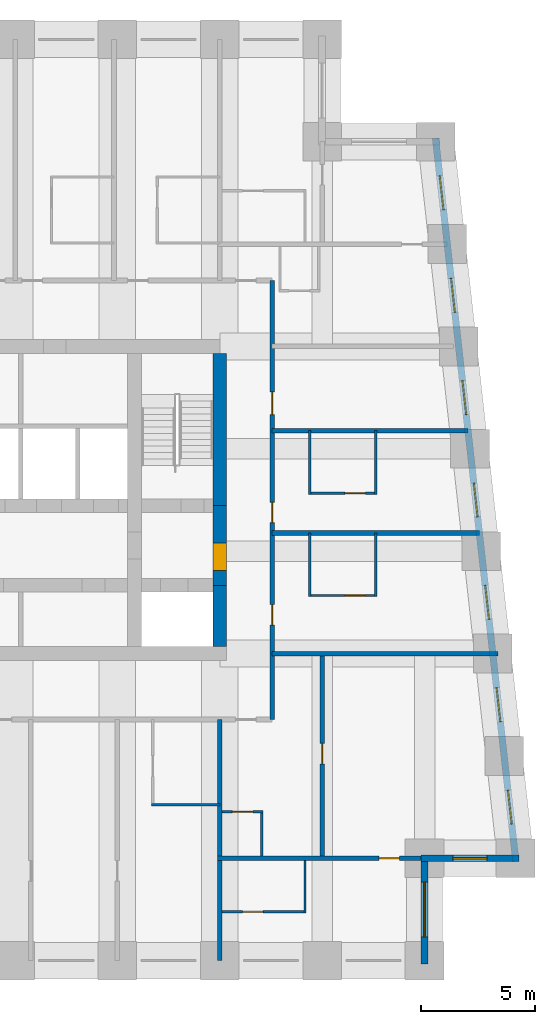
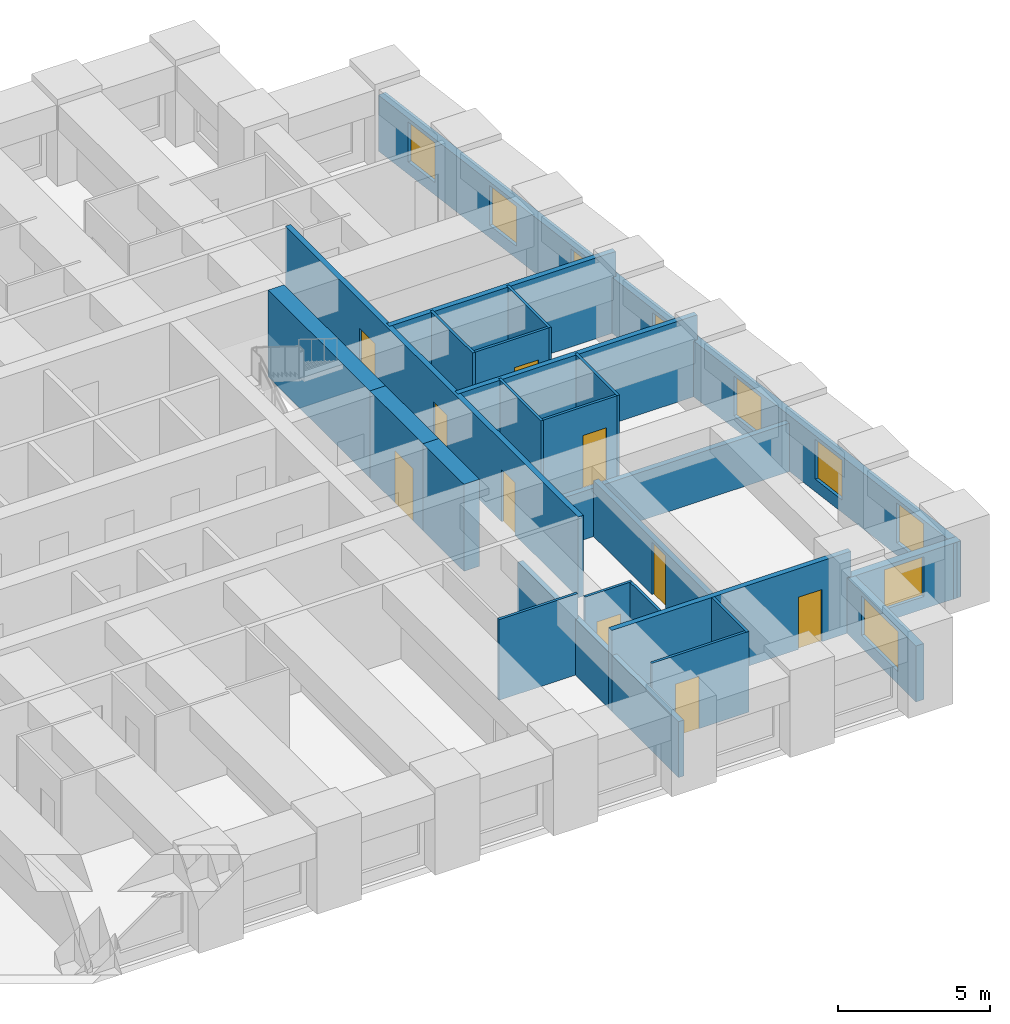
# One storey, part 5 of 8: 24 walls, 10 doors, 9 windows, 19 openings.
"""IFC4 building model written with IfcOpenShell, lengths in metres."""

from ifc_helpers import new_model, si_unit, direction, frame, frame_2d, origin, place, context, subcontext, project, spatial, rectangle, extrude, material, layer, layer_set, type_object, element, fill, save


model = new_model("IFC4")

# Units and contexts
model_context = context("Model", 3, precision=1e-05, world=origin(), true_north=direction((0.0, 1.0)))
body_context = subcontext(model_context, "Body", "Model", "MODEL_VIEW")
ifc_project = project(units=[si_unit("LENGTHUNIT", "METRE"), si_unit("AREAUNIT", "SQUARE_METRE"), si_unit("VOLUMEUNIT", "CUBIC_METRE"), si_unit("PLANEANGLEUNIT", "RADIAN"), si_unit("MASSUNIT", "GRAM", prefix="KILO")], contexts=[model_context])

# Site, building, storey
site_placement = place(None, origin())
site = spatial("IfcSite", under=ifc_project, at=site_placement, CompositionType="ELEMENT")
building_placement = place(site_placement, origin())
building = spatial("IfcBuilding", under=site, at=building_placement, Name="Kilele Tower Hotel", CompositionType="ELEMENT")
storey_placement = place(building_placement, frame((0.0, 0.0, 183.39990234375)))
storey = spatial("IfcBuildingStorey", under=building, at=storey_placement, Name="L47", CompositionType="ELEMENT", Elevation=183.39990234375)

# Walls
ifc_material_1 = material(Name="Moisture-resistant board")
ifc_layer_1 = layer(ifc_material_1, 0.10009765625)
ifc_layer_set_1 = layer_set([ifc_layer_1], Name="Moisture-resistant board")
wall_type_1 = type_object("IfcWallType", Name="Bathroom partition 100", PredefinedType="PLUMBINGWALL", material=ifc_layer_set_1)
wall_1_placement = place(storey_placement, frame((33.0, 6.85009765625, 0.0), z_axis=(0.0, 0.0, 1.0), x_axis=(1.0, 0.0, 0.0)))
element("IfcWall", 1, at=wall_1_placement, inside=storey, type_object=wall_type_1, Name="Bathroom partition 100 L47", PredefinedType="PLUMBINGWALL", context=body_context, shape_type="SweptSolid", body=[
    extrude(rectangle(XDim=3.0, YDim=0.10009765625, at=frame_2d((1.5, 0.0))), origin(), (0.0, 0.0, 1.0), 3.25),
])
for number, where, z_axis, x_axis, name in (
    (2, (39.949951171875, 16.0, 0.0), (0.0, 0.0, 1.0), (0.0, 1.0, 0.0), "Bathroom partition 100 L47"),
    (3, (42.85009765625, 16.0, 0.0), (0.0, 0.0, 1.0), (0.0, 1.0, 0.0), "Bathroom partition 100 L47"),
):
    element("IfcWall", number, at=place(storey_placement, frame(where, z_axis=z_axis, x_axis=x_axis)), inside=storey, type_object=wall_type_1, Name=name, PredefinedType="PLUMBINGWALL", context=body_context, shape_type="SweptSolid", body=[
        extrude(rectangle(XDim=2.800048828125, YDim=0.10009765625, at=frame_2d((1.39990234375, 0.0))), origin(), (0.0, 0.0, 1.0), 3.25),
    ])

# Wall, opening, door
wall_2_placement = place(storey_placement, frame((39.89990234375, 16.050048828125, 0.0), z_axis=(0.0, 0.0, 1.0), x_axis=(1.0, 0.0, 0.0)))
wall_2 = element("IfcWall", 4, at=wall_2_placement, inside=storey, type_object=wall_type_1, Name="Bathroom partition 100 L47", PredefinedType="PLUMBINGWALL", context=body_context, shape_type="SweptSolid", body=[
    extrude(rectangle(XDim=3.0, YDim=0.10009765625, at=frame_2d((1.5, 0.0))), origin(), (0.0, 0.0, 1.0), 3.25),
])
opening_1_placement = place(wall_2_placement, frame((2.5, 0.0, 0.0), z_axis=(0.0, 0.0, 1.0), x_axis=(-1.0, 0.0, 0.0)))
opening_1 = element("IfcOpeningElement", 5, at=opening_1_placement, cuts=wall_2, Name="Opening D2A", PredefinedType="OPENING", context=body_context, shape_type="SweptSolid", body=[
    extrude(rectangle(XDim=0.89990234375, YDim=2.10009765625, at=frame_2d((0.449951171875, 1.050048828125))), frame((0.0, 0.06005859375, 0.0), z_axis=(0.0, -1.0, 0.0), x_axis=(1.0, 0.0, 0.0)), (0.0, 0.0, 1.0), 0.1201171875),
])
ifc_material_2 = material(Name="Timber door leaf in hardwood frame", Category="wood")
door_type_1 = type_object("IfcDoorType", Name="Bathroom door 900", OperationType="SINGLE_SWING_LEFT", PredefinedType="DOOR", material=ifc_material_2)
door_1_placement = place(opening_1_placement, origin())
door_1 = element("IfcDoor", 6, at=door_1_placement, inside=storey, type_object=door_type_1, Name="Bathroom door 4706B", OperationType="SINGLE_SWING_LEFT", OverallHeight=2.10009765625, OverallWidth=0.89990234375, PredefinedType="DOOR", context=body_context, shape_type="SweptSolid", body=[
    extrude(rectangle(XDim=0.89990234375, YDim=2.10009765625, at=frame_2d((0.449951171875, 1.050048828125))), frame((0.0, 0.02490234375, 0.0), z_axis=(0.0, -1.0, 0.0), x_axis=(1.0, 0.0, 0.0)), (0.0, 0.0, 1.0), 0.050048828125),
])
fill(opening_1, door_1)

# Walls
for number, where, z_axis, x_axis, name in (
    (7, (39.949951171875, 20.5, 0.0), (0.0, 0.0, 1.0), (0.0, 1.0, 0.0), "Bathroom partition 100 L47"),
    (8, (42.85009765625, 20.5, 0.0), (0.0, 0.0, 1.0), (0.0, 1.0, 0.0), "Bathroom partition 100 L47"),
):
    element("IfcWall", number, at=place(storey_placement, frame(where, z_axis=z_axis, x_axis=x_axis)), inside=storey, type_object=wall_type_1, Name=name, PredefinedType="PLUMBINGWALL", context=body_context, shape_type="SweptSolid", body=[
        extrude(rectangle(XDim=2.800048828125, YDim=0.10009765625, at=frame_2d((1.39990234375, 0.0))), origin(), (0.0, 0.0, 1.0), 3.25),
    ])

# Wall, opening, door
wall_3_placement = place(storey_placement, frame((39.89990234375, 20.550048828125, 0.0), z_axis=(0.0, 0.0, 1.0), x_axis=(1.0, 0.0, 0.0)))
wall_3 = element("IfcWall", 9, at=wall_3_placement, inside=storey, type_object=wall_type_1, Name="Bathroom partition 100 L47", PredefinedType="PLUMBINGWALL", context=body_context, shape_type="SweptSolid", body=[
    extrude(rectangle(XDim=3.0, YDim=0.10009765625, at=frame_2d((1.5, 0.0))), origin(), (0.0, 0.0, 1.0), 3.25),
])
opening_2_placement = place(wall_3_placement, frame((2.5, 0.0, 0.0), z_axis=(0.0, 0.0, 1.0), x_axis=(-1.0, 0.0, 0.0)))
opening_2 = element("IfcOpeningElement", 10, at=opening_2_placement, cuts=wall_3, Name="Opening D2A", PredefinedType="OPENING", context=body_context, shape_type="SweptSolid", body=[
    extrude(rectangle(XDim=0.89990234375, YDim=2.10009765625, at=frame_2d((0.449951171875, 1.050048828125))), frame((0.0, 0.06005859375, 0.0), z_axis=(0.0, -1.0, 0.0), x_axis=(1.0, 0.0, 0.0)), (0.0, 0.0, 1.0), 0.1201171875),
])
door_2_placement = place(opening_2_placement, origin())
door_2 = element("IfcDoor", 11, at=door_2_placement, inside=storey, type_object=door_type_1, Name="Bathroom door 4707B", OperationType="SINGLE_SWING_LEFT", OverallHeight=2.10009765625, OverallWidth=0.89990234375, PredefinedType="DOOR", context=body_context, shape_type="SweptSolid", body=[
    extrude(rectangle(XDim=0.89990234375, YDim=2.10009765625, at=frame_2d((0.449951171875, 1.050048828125))), frame((0.0, 0.02490234375, 0.0), z_axis=(0.0, -1.0, 0.0), x_axis=(1.0, 0.0, 0.0)), (0.0, 0.0, 1.0), 0.050048828125),
])
fill(opening_2, door_2)

# Wall
wall_4_placement = place(storey_placement, frame((37.85009765625, 4.60009765625, 0.0), z_axis=(0.0, 0.0, 1.0), x_axis=(0.0, 1.0, 0.0)))
element("IfcWall", 12, at=wall_4_placement, inside=storey, type_object=wall_type_1, Name="Bathroom partition 100 L47", PredefinedType="PLUMBINGWALL", context=body_context, shape_type="SweptSolid", body=[
    extrude(rectangle(XDim=2.0, YDim=0.10009765625, at=frame_2d((1.0, 0.0))), origin(), (0.0, 0.0, 1.0), 3.25),
])

# Wall, opening, door
wall_5_placement = place(storey_placement, frame((36.10009765625, 6.550048828125, 0.0), z_axis=(0.0, 0.0, 1.0), x_axis=(1.0, 0.0, 0.0)))
wall_5 = element("IfcWall", 13, at=wall_5_placement, inside=storey, type_object=wall_type_1, Name="Bathroom partition 100 L47", PredefinedType="PLUMBINGWALL", context=body_context, shape_type="SweptSolid", body=[
    extrude(rectangle(XDim=1.7998046875, YDim=0.10009765625, at=frame_2d((0.89990234375, 0.0))), origin(), (0.0, 0.0, 1.0), 3.25),
])
opening_3_placement = place(wall_5_placement, frame((0.449951171875, 0.0, 0.0)))
opening_3 = element("IfcOpeningElement", 14, at=opening_3_placement, cuts=wall_5, Name="Opening D2A", PredefinedType="OPENING", context=body_context, shape_type="SweptSolid", body=[
    extrude(rectangle(XDim=0.89990234375, YDim=2.10009765625, at=frame_2d((0.449951171875, 1.050048828125))), frame((0.0, 0.06005859375, 0.0), z_axis=(0.0, -1.0, 0.0), x_axis=(1.0, 0.0, 0.0)), (0.0, 0.0, 1.0), 0.1201171875),
])
door_3_placement = place(opening_3_placement, origin())
door_3 = element("IfcDoor", 15, at=door_3_placement, inside=storey, type_object=door_type_1, Name="Bathroom door 4719P", OperationType="SINGLE_SWING_LEFT", OverallHeight=2.10009765625, OverallWidth=0.89990234375, PredefinedType="DOOR", context=body_context, shape_type="SweptSolid", body=[
    extrude(rectangle(XDim=0.89990234375, YDim=2.10009765625, at=frame_2d((0.449951171875, 1.050048828125))), frame((0.0, 0.02490234375, 0.0), z_axis=(0.0, -1.0, 0.0), x_axis=(1.0, 0.0, 0.0)), (0.0, 0.0, 1.0), 0.050048828125),
])
fill(opening_3, door_3)

# Wall
wall_6_placement = place(storey_placement, frame((39.75, 4.39990234375, 0.0), z_axis=(0.0, 0.0, 1.0), x_axis=(0.0, -1.0, 0.0)))
element("IfcWall", 16, at=wall_6_placement, inside=storey, type_object=wall_type_1, Name="Bathroom partition 100 L47", PredefinedType="PLUMBINGWALL", context=body_context, shape_type="SweptSolid", body=[
    extrude(rectangle(XDim=2.2998046875, YDim=0.10009765625, at=frame_2d((1.14990234375, 0.0))), origin(), (0.0, 0.0, 1.0), 3.25),
])

# Wall, opening, door
wall_7_placement = place(storey_placement, frame((36.10009765625, 2.14990234375, 0.0), z_axis=(0.0, 0.0, 1.0), x_axis=(1.0, 0.0, 0.0)))
wall_7 = element("IfcWall", 17, at=wall_7_placement, inside=storey, type_object=wall_type_1, Name="Bathroom partition 100 L47", PredefinedType="PLUMBINGWALL", context=body_context, shape_type="SweptSolid", body=[
    extrude(rectangle(XDim=3.699951171875, YDim=0.10009765625, at=frame_2d((1.85009765625, 0.0))), origin(), (0.0, 0.0, 1.0), 3.25),
])
opening_4_placement = place(wall_7_placement, frame((1.7998046875, 0.0, 0.0), z_axis=(0.0, 0.0, 1.0), x_axis=(-1.0, 0.0, 0.0)))
opening_4 = element("IfcOpeningElement", 18, at=opening_4_placement, cuts=wall_7, Name="Opening D2A", PredefinedType="OPENING", context=body_context, shape_type="SweptSolid", body=[
    extrude(rectangle(XDim=0.89990234375, YDim=2.10009765625, at=frame_2d((0.449951171875, 1.050048828125))), frame((0.0, 0.06005859375, 0.0), z_axis=(0.0, -1.0, 0.0), x_axis=(1.0, 0.0, 0.0)), (0.0, 0.0, 1.0), 0.1201171875),
])
door_4_placement = place(opening_4_placement, origin())
door_4 = element("IfcDoor", 19, at=door_4_placement, inside=storey, type_object=door_type_1, Name="Bathroom door 4721B", OperationType="SINGLE_SWING_RIGHT", OverallHeight=2.10009765625, OverallWidth=0.89990234375, PredefinedType="DOOR", context=body_context, shape_type="SweptSolid", body=[
    extrude(rectangle(XDim=0.89990234375, YDim=2.10009765625, at=frame_2d((0.449951171875, 1.050048828125))), frame((0.0, 0.02490234375, 0.0), z_axis=(0.0, -1.0, 0.0), x_axis=(1.0, 0.0, 0.0)), (0.0, 0.0, 1.0), 0.050048828125),
])
fill(opening_4, door_4)

# Wall
ifc_material_3 = material(Name="Concrete C70/85", Category="concrete")
ifc_layer_2 = layer(ifc_material_3, 0.60009765625)
ifc_layer_set_2 = layer_set([ifc_layer_2], Name="Concrete C70/85")
wall_type_2 = type_object("IfcWallType", Name="Core wall 600 C70/85", PredefinedType="SHEAR", material=ifc_layer_set_2)
wall_8_placement = place(storey_placement, frame((36.0, 13.800048828125, 0.0), z_axis=(0.0, 0.0, 1.0), x_axis=(0.0, 1.0, 0.0)))
element("IfcWall", 20, at=wall_8_placement, inside=storey, type_object=wall_type_2, Name="Core wall E1 L47", PredefinedType="SHEAR", context=body_context, shape_type="SweptSolid", body=[
    extrude(rectangle(XDim=2.699951171875, YDim=0.60009765625, at=frame_2d((1.35009765625, 0.0))), origin(), (0.0, 0.0, 1.0), 3.5),
])

# Wall, opening, door
wall_9_placement = place(storey_placement, frame((36.0, 16.5, 0.0), z_axis=(0.0, 0.0, 1.0), x_axis=(0.0, 1.0, 0.0)))
wall_9 = element("IfcWall", 21, at=wall_9_placement, inside=storey, type_object=wall_type_2, Name="Core wall E2 L47", PredefinedType="SHEAR", context=body_context, shape_type="SweptSolid", body=[
    extrude(rectangle(XDim=3.5, YDim=0.60009765625, at=frame_2d((1.75, 0.0))), origin(), (0.0, 0.0, 1.0), 3.5),
])
opening_5_placement = place(wall_9_placement, frame((0.64990234375, 0.0, 0.0)))
opening_5 = element("IfcOpeningElement", 22, at=opening_5_placement, cuts=wall_9, Name="Opening D4", PredefinedType="OPENING", context=body_context, shape_type="SweptSolid", body=[
    extrude(rectangle(XDim=1.199951171875, YDim=2.10009765625, at=frame_2d((0.60009765625, 1.050048828125))), frame((0.0, 0.31005859375, 0.0), z_axis=(0.0, -1.0, 0.0), x_axis=(1.0, 0.0, 0.0)), (0.0, 0.0, 1.0), 0.6201171875),
])
ifc_material_4 = material(Name="Timber door leaf in hardwood frame", Category="wood")
door_type_2 = type_object("IfcDoorType", Name="Firefighting lobby door 1200", OperationType="SINGLE_SWING_LEFT", PredefinedType="DOOR", material=ifc_material_4)
door_5_placement = place(opening_5_placement, origin())
door_5 = element("IfcDoor", 23, at=door_5_placement, inside=storey, type_object=door_type_2, Name="Lobby door L47", OperationType="SINGLE_SWING_LEFT", OverallHeight=2.10009765625, OverallWidth=1.199951171875, PredefinedType="DOOR", context=body_context, shape_type="SweptSolid", body=[
    extrude(rectangle(XDim=1.199951171875, YDim=2.10009765625, at=frame_2d((0.60009765625, 1.050048828125))), frame((0.0, 0.2998046875, 0.0), z_axis=(0.0, -1.0, 0.0), x_axis=(1.0, 0.0, 0.0)), (0.0, 0.0, 1.0), 0.599609375),
])
fill(opening_5, door_5)

# Wall
wall_10_placement = place(storey_placement, frame((36.0, 20.0, 0.0), z_axis=(0.0, 0.0, 1.0), x_axis=(0.0, 1.0, 0.0)))
element("IfcWall", 24, at=wall_10_placement, inside=storey, type_object=wall_type_2, Name="Core wall E3 L47", PredefinedType="SHEAR", context=body_context, shape_type="SweptSolid", body=[
    extrude(rectangle(XDim=6.699951171875, YDim=0.60009765625, at=frame_2d((3.35009765625, 0.0))), origin(), (0.0, 0.0, 1.0), 3.5),
])

# Wall, openings, doors
ifc_material_5 = material(Name="Blockwork, plastered both sides", Category="masonry")
ifc_layer_3 = layer(ifc_material_5, 0.199951171875)
ifc_layer_set_3 = layer_set([ifc_layer_3], Name="Blockwork, plastered both sides")
wall_type_3 = type_object("IfcWallType", Name="Corridor wall 200", PredefinedType="PARTITIONING", material=ifc_layer_set_3)
wall_11_placement = place(storey_placement, frame((38.300048828125, 10.60009765625, 0.0), z_axis=(0.0, 0.0, 1.0), x_axis=(0.0, 1.0, 0.0)))
wall_11 = element("IfcWall", 25, at=wall_11_placement, inside=storey, type_object=wall_type_3, Name="Corridor wall 200 L47", PredefinedType="PARTITIONING", context=body_context, shape_type="SweptSolid", body=[
    extrude(rectangle(XDim=19.2998046875, YDim=0.199951171875, at=frame_2d((9.64990234375, 0.0))), origin(), (0.0, 0.0, 1.0), 3.25),
])
opening_6_placement = place(wall_11_placement, frame((5.0498046875, 0.0, 0.0), z_axis=(0.0, 0.0, 1.0), x_axis=(-1.0, 0.0, 0.0)))
opening_6 = element("IfcOpeningElement", 26, at=opening_6_placement, cuts=wall_11, Name="Opening D1", PredefinedType="OPENING", context=body_context, shape_type="SweptSolid", body=[
    extrude(rectangle(XDim=0.89990234375, YDim=2.10009765625, at=frame_2d((0.449951171875, 1.050048828125))), frame((0.0, 0.10986328125, 0.0), z_axis=(0.0, -1.0, 0.0), x_axis=(1.0, 0.0, 0.0)), (0.0, 0.0, 1.0), 0.219970703125),
])
opening_7_placement = place(wall_11_placement, frame((9.5498046875, 0.0, 0.0), z_axis=(0.0, 0.0, 1.0), x_axis=(-1.0, 0.0, 0.0)))
opening_7 = element("IfcOpeningElement", 27, at=opening_7_placement, cuts=wall_11, Name="Opening D1", PredefinedType="OPENING", context=body_context, shape_type="SweptSolid", body=[
    extrude(rectangle(XDim=0.89990234375, YDim=2.10009765625, at=frame_2d((0.449951171875, 1.050048828125))), frame((0.0, 0.10986328125, 0.0), z_axis=(0.0, -1.0, 0.0), x_axis=(1.0, 0.0, 0.0)), (0.0, 0.0, 1.0), 0.219970703125),
])
opening_8_placement = place(wall_11_placement, frame((14.39990234375, 0.0, 0.0), z_axis=(0.0, 0.0, 1.0), x_axis=(-1.0, 0.0, 0.0)))
opening_8 = element("IfcOpeningElement", 28, at=opening_8_placement, cuts=wall_11, Name="Opening D8", PredefinedType="OPENING", context=body_context, shape_type="SweptSolid", body=[
    extrude(rectangle(XDim=1.0, YDim=2.10009765625, at=frame_2d((0.5, 1.050048828125))), frame((0.0, 0.10986328125, 0.0), z_axis=(0.0, -1.0, 0.0), x_axis=(1.0, 0.0, 0.0)), (0.0, 0.0, 1.0), 0.219970703125),
])
ifc_material_6 = material(Name="Timber door leaf in hardwood frame", Category="wood")
door_type_3 = type_object("IfcDoorType", Name="Door 1000", OperationType="SINGLE_SWING_LEFT", PredefinedType="DOOR", material=ifc_material_6)
door_6_placement = place(opening_8_placement, origin())
door_6 = element("IfcDoor", 29, at=door_6_placement, inside=storey, type_object=door_type_3, Name="Room entrance 4708", OperationType="SINGLE_SWING_RIGHT", OverallHeight=2.10009765625, OverallWidth=1.0, PredefinedType="DOOR", context=body_context, shape_type="SweptSolid", body=[
    extrude(rectangle(XDim=1.0, YDim=2.10009765625, at=frame_2d((0.5, 1.050048828125))), frame((0.0, 0.02490234375, 0.0), z_axis=(0.0, -1.0, 0.0), x_axis=(1.0, 0.0, 0.0)), (0.0, 0.0, 1.0), 0.050048828125),
])
fill(opening_8, door_6)
ifc_material_7 = material(Name="Timber door leaf in hardwood frame", Category="wood")
door_type_4 = type_object("IfcDoorType", Name="Guest room entrance door 900", OperationType="SINGLE_SWING_LEFT", PredefinedType="DOOR", material=ifc_material_7)
door_7_placement = place(opening_6_placement, origin())
door_7 = element("IfcDoor", 30, at=door_7_placement, inside=storey, type_object=door_type_4, Name="Room entrance 4706", OperationType="SINGLE_SWING_RIGHT", OverallHeight=2.10009765625, OverallWidth=0.89990234375, PredefinedType="DOOR", context=body_context, shape_type="SweptSolid", body=[
    extrude(rectangle(XDim=0.89990234375, YDim=2.10009765625, at=frame_2d((0.449951171875, 1.050048828125))), frame((0.0, 0.02490234375, 0.0), z_axis=(0.0, -1.0, 0.0), x_axis=(1.0, 0.0, 0.0)), (0.0, 0.0, 1.0), 0.050048828125),
])
fill(opening_6, door_7)
door_8_placement = place(opening_7_placement, origin())
door_8 = element("IfcDoor", 31, at=door_8_placement, inside=storey, type_object=door_type_4, Name="Room entrance 4707", OperationType="SINGLE_SWING_RIGHT", OverallHeight=2.10009765625, OverallWidth=0.89990234375, PredefinedType="DOOR", context=body_context, shape_type="SweptSolid", body=[
    extrude(rectangle(XDim=0.89990234375, YDim=2.10009765625, at=frame_2d((0.449951171875, 1.050048828125))), frame((0.0, 0.02490234375, 0.0), z_axis=(0.0, -1.0, 0.0), x_axis=(1.0, 0.0, 0.0)), (0.0, 0.0, 1.0), 0.050048828125),
])
fill(opening_7, door_8)

# Wall, opening, door
ifc_material_8 = material(Name="Blockwork, plastered both sides", Category="masonry")
ifc_layer_4 = layer(ifc_material_8, 0.199951171875)
ifc_layer_set_4 = layer_set([ifc_layer_4], Name="Blockwork, plastered both sides")
wall_type_4 = type_object("IfcWallType", Name="Partition wall 200", PredefinedType="PARTITIONING", material=ifc_layer_set_4)
wall_12_placement = place(storey_placement, frame((40.5, 4.60009765625, 0.0), z_axis=(0.0, 0.0, 1.0), x_axis=(0.0, 1.0, 0.0)))
wall_12 = element("IfcWall", 32, at=wall_12_placement, inside=storey, type_object=wall_type_4, Name="Partition wall 200 L47", PredefinedType="PARTITIONING", context=body_context, shape_type="SweptSolid", body=[
    extrude(rectangle(XDim=8.7998046875, YDim=0.199951171875, at=frame_2d((4.39990234375, 0.0))), origin(), (0.0, 0.0, 1.0), 2.25),
])
opening_9_placement = place(wall_12_placement, frame((4.050048828125, 0.0, 0.0)))
opening_9 = element("IfcOpeningElement", 33, at=opening_9_placement, cuts=wall_12, Name="Opening D3", PredefinedType="OPENING", context=body_context, shape_type="SweptSolid", body=[
    extrude(rectangle(XDim=0.89990234375, YDim=2.10009765625, at=frame_2d((0.449951171875, 1.050048828125))), frame((0.0, 0.10986328125, 0.0), z_axis=(0.0, -1.0, 0.0), x_axis=(1.0, 0.0, 0.0)), (0.0, 0.0, 1.0), 0.219970703125),
])
ifc_material_9 = material(Name="Timber door leaf in hardwood frame", Category="wood")
door_type_5 = type_object("IfcDoorType", Name="Suite internal door 900", OperationType="SINGLE_SWING_LEFT", PredefinedType="DOOR", material=ifc_material_9)
door_9_placement = place(opening_9_placement, origin())
door_9 = element("IfcDoor", 34, at=door_9_placement, inside=storey, type_object=door_type_5, Name="Suite door 4720", OperationType="SINGLE_SWING_RIGHT", OverallHeight=2.10009765625, OverallWidth=0.89990234375, PredefinedType="DOOR", context=body_context, shape_type="SweptSolid", body=[
    extrude(rectangle(XDim=0.89990234375, YDim=2.10009765625, at=frame_2d((0.449951171875, 1.050048828125))), frame((0.0, 0.02490234375, 0.0), z_axis=(0.0, -1.0, 0.0), x_axis=(1.0, 0.0, 0.0)), (0.0, 0.0, 1.0), 0.050048828125),
])
fill(opening_9, door_9)

# Walls
ifc_material_10 = material(Name="Blockwork, plastered both sides", Category="masonry")
ifc_layer_5 = layer(ifc_material_10, 0.199951171875)
ifc_layer_set_5 = layer_set([ifc_layer_5], Name="Blockwork, plastered both sides")
wall_type_5 = type_object("IfcWallType", Name="Party wall 200", PredefinedType="PARTITIONING", material=ifc_layer_set_5)
wall_13_placement = place(storey_placement, frame((38.300048828125, 18.800048828125, 0.0), z_axis=(0.0, 0.0, 1.0), x_axis=(1.0, 0.0, 0.0)))
element("IfcWall", 35, at=wall_13_placement, inside=storey, type_object=wall_type_5, Name="Party wall 200 L47", PredefinedType="PARTITIONING", context=body_context, shape_type="SweptSolid", body=[
    extrude(rectangle(XDim=9.110107421875, YDim=0.199951171875, at=frame_2d((4.55517578125, 0.0))), origin(), (0.0, 0.0, 1.0), 3.25),
])
wall_14_placement = place(storey_placement, frame((38.300048828125, 23.300048828125, 0.0), z_axis=(0.0, 0.0, 1.0), x_axis=(1.0, 0.0, 0.0)))
element("IfcWall", 36, at=wall_14_placement, inside=storey, type_object=wall_type_5, Name="Party wall 200 L47", PredefinedType="PARTITIONING", context=body_context, shape_type="SweptSolid", body=[
    extrude(rectangle(XDim=8.610107421875, YDim=0.199951171875, at=frame_2d((4.30517578125, 0.0))), origin(), (0.0, 0.0, 1.0), 3.25),
])
wall_15_placement = place(storey_placement, frame((38.300048828125, 13.5, 0.0), z_axis=(0.0, 0.0, 1.0), x_axis=(1.0, 0.0, 0.0)))
element("IfcWall", 37, at=wall_15_placement, inside=storey, type_object=wall_type_5, Name="Party wall 200 L47", PredefinedType="PARTITIONING", context=body_context, shape_type="SweptSolid", body=[
    extrude(rectangle(XDim=9.921142578125, YDim=0.199951171875, at=frame_2d((4.96044921875, 0.0))), origin(), (0.0, 0.0, 1.0), 1.9501953125),
])
wall_16_placement = place(storey_placement, frame((36.0, 10.60009765625, 0.0), z_axis=(0.0, 0.0, 1.0), x_axis=(0.0, -1.0, 0.0)))
element("IfcWall", 38, at=wall_16_placement, inside=storey, type_object=wall_type_5, Name="Party wall 200 L47", PredefinedType="PARTITIONING", context=body_context, shape_type="SweptSolid", body=[
    extrude(rectangle(XDim=10.60009765625, YDim=0.199951171875, at=frame_2d((5.300048828125, 0.0))), origin(), (0.0, 0.0, 1.0), 2.25),
])

# Wall, opening, door
wall_17_placement = place(storey_placement, frame((35.89990234375, 4.5, 0.0), z_axis=(0.0, 0.0, 1.0), x_axis=(1.0, 0.0, 0.0)))
wall_17 = element("IfcWall", 39, at=wall_17_placement, inside=storey, type_object=wall_type_5, Name="Party wall 200 L47", PredefinedType="PARTITIONING", context=body_context, shape_type="SweptSolid", body=[
    extrude(rectangle(XDim=9.10009765625, YDim=0.199951171875, at=frame_2d((4.550048828125, 0.0))), origin(), (0.0, 0.0, 1.0), 3.25),
])
opening_10_placement = place(wall_17_placement, frame((7.10009765625, 0.0, 0.0)))
opening_10 = element("IfcOpeningElement", 40, at=opening_10_placement, cuts=wall_17, Name="Opening D3", PredefinedType="OPENING", context=body_context, shape_type="SweptSolid", body=[
    extrude(rectangle(XDim=0.89990234375, YDim=2.10009765625, at=frame_2d((0.449951171875, 1.050048828125))), frame((0.0, 0.10986328125, 0.0), z_axis=(0.0, -1.0, 0.0), x_axis=(1.0, 0.0, 0.0)), (0.0, 0.0, 1.0), 0.219970703125),
])
door_10_placement = place(opening_10_placement, origin())
door_10 = element("IfcDoor", 41, at=door_10_placement, inside=storey, type_object=door_type_5, Name="Suite door 4721", OperationType="SINGLE_SWING_RIGHT", OverallHeight=2.10009765625, OverallWidth=0.89990234375, PredefinedType="DOOR", context=body_context, shape_type="SweptSolid", body=[
    extrude(rectangle(XDim=0.89990234375, YDim=2.10009765625, at=frame_2d((0.449951171875, 1.050048828125))), frame((0.0, 0.02490234375, 0.0), z_axis=(0.0, -1.0, 0.0), x_axis=(1.0, 0.0, 0.0)), (0.0, 0.0, 1.0), 0.050048828125),
])
fill(opening_10, door_10)

# Wall, opening, window
ifc_material_11 = material(Name="Concrete C40/50 precast", Category="concrete")
ifc_layer_6 = layer(ifc_material_11, 0.260009765625, Name="Precast backing", Category="LoadBearing")
ifc_material_12 = material(Name="Reconstituted stone finish", Category="masonry")
ifc_layer_7 = layer(ifc_material_12, 0.0400390625, Name="Face mix", Category="Finish")
ifc_layer_set_6 = layer_set([ifc_layer_6, ifc_layer_7], Name="Precast concrete C40/50, reconstituted stone finish")
wall_type_6 = type_object("IfcWallType", Name="Precast stone facade wall 300", PredefinedType="STANDARD", material=ifc_layer_set_6)
wall_18_placement = place(storey_placement, frame((45.0, -0.14990234375, 0.0), z_axis=(0.0, 0.0, 1.0), x_axis=(0.0, 1.0, 0.0)))
wall_18 = element("IfcWall", 42, at=wall_18_placement, inside=storey, type_object=wall_type_6, Name="Facade wall L47 edge 4", PredefinedType="STANDARD", context=body_context, shape_type="SweptSolid", body=[
    extrude(rectangle(XDim=4.7998046875, YDim=0.300048828125, at=frame_2d((2.39990234375, 0.0))), origin(), (0.0, 0.0, 1.0), 2.25),
])
opening_11_placement = place(wall_18_placement, frame((1.199951171875, 0.0, 0.5)))
opening_11 = element("IfcOpeningElement", 43, at=opening_11_placement, cuts=wall_18, Name="Opening W3", PredefinedType="OPENING", context=body_context, shape_type="SweptSolid", body=[
    extrude(rectangle(XDim=2.39990234375, YDim=1.60009765625, at=frame_2d((1.199951171875, 0.800048828125))), frame((0.0, 0.159912109375, 0.0), z_axis=(0.0, -1.0, 0.0), x_axis=(1.0, 0.0, 0.0)), (0.0, 0.0, 1.0), 0.320068359375),
])
ifc_material_13 = material(Name="Aluminium frame, clear double glazing", Category="aluminium")
window_type_1 = type_object("IfcWindowType", Name="Window W3 2400 x 1600", PartitioningType="SINGLE_PANEL", PredefinedType="WINDOW", material=ifc_material_13)
window_1_placement = place(opening_11_placement, origin())
window_1 = element("IfcWindow", 44, at=window_1_placement, inside=storey, type_object=window_type_1, Name="Window L47", OverallHeight=1.60009765625, OverallWidth=2.39990234375, PartitioningType="SINGLE_PANEL", PredefinedType="WINDOW", context=body_context, shape_type="SweptSolid", body=[
    extrude(rectangle(XDim=2.39990234375, YDim=1.60009765625, at=frame_2d((1.199951171875, 0.800048828125))), frame((0.0, 0.030029296875, 0.0), z_axis=(0.0, -1.0, 0.0), x_axis=(1.0, 0.0, 0.0)), (0.0, 0.0, 1.0), 0.06005859375),
])
fill(opening_11, window_1)

wall_19_placement = place(storey_placement, frame((44.85009765625, 4.5, 0.0), z_axis=(0.0, 0.0, 1.0), x_axis=(1.0, 0.0, 0.0)))
wall_19 = element("IfcWall", 45, at=wall_19_placement, inside=storey, type_object=wall_type_6, Name="Facade wall L47 edge 5", PredefinedType="STANDARD", context=body_context, shape_type="SweptSolid", body=[
    extrude(rectangle(XDim=4.2998046875, YDim=0.300048828125, at=frame_2d((2.14990234375, 0.0))), origin(), (0.0, 0.0, 1.0), 2.25),
])
opening_12_placement = place(wall_19_placement, frame((1.39990234375, 0.0, 0.5)))
opening_12 = element("IfcOpeningElement", 46, at=opening_12_placement, cuts=wall_19, Name="Opening W3", PredefinedType="OPENING", context=body_context, shape_type="SweptSolid", body=[
    extrude(rectangle(XDim=1.5, YDim=1.60009765625, at=frame_2d((0.75, 0.800048828125))), frame((0.0, 0.159912109375, 0.0), z_axis=(0.0, -1.0, 0.0), x_axis=(1.0, 0.0, 0.0)), (0.0, 0.0, 1.0), 0.320068359375),
])
ifc_material_14 = material(Name="Aluminium frame, clear double glazing", Category="aluminium")
window_type_2 = type_object("IfcWindowType", Name="Window W3 1500 x 1600", PartitioningType="SINGLE_PANEL", PredefinedType="WINDOW", material=ifc_material_14)
window_2_placement = place(opening_12_placement, origin())
window_2 = element("IfcWindow", 47, at=window_2_placement, inside=storey, type_object=window_type_2, Name="Window L47", OverallHeight=1.60009765625, OverallWidth=1.5, PartitioningType="SINGLE_PANEL", PredefinedType="WINDOW", context=body_context, shape_type="SweptSolid", body=[
    extrude(rectangle(XDim=1.5, YDim=1.60009765625, at=frame_2d((0.75, 0.800048828125))), frame((0.0, 0.030029296875, 0.0), z_axis=(0.0, -1.0, 0.0), x_axis=(1.0, 0.0, 0.0)), (0.0, 0.0, 1.0), 0.06005859375),
])
fill(opening_12, window_2)

# Wall, openings, windows
wall_20_placement = place(storey_placement, frame((49.0166015625, 4.350830078125, 0.0), z_axis=(0.0, 0.0, 1.0), x_axis=(-0.110433201132, 0.993883548555, 0.0)))
wall_20 = element("IfcWall", 48, at=wall_20_placement, inside=storey, type_object=wall_type_6, Name="Facade wall L47 edge 6", PredefinedType="STANDARD", context=body_context, shape_type="SweptSolid", body=[
    extrude(rectangle(XDim=31.994140625, YDim=0.300048828125, at=frame_2d((15.9970703125, 0.0))), origin(), (0.0, 0.0, 1.0), 2.25),
])
opening_13_placement = place(wall_20_placement, frame((1.6640625, 0.0, 0.5)))
opening_13 = element("IfcOpeningElement", 49, at=opening_13_placement, cuts=wall_20, Name="Opening W3", PredefinedType="OPENING", context=body_context, shape_type="SweptSolid", body=[
    extrude(rectangle(XDim=1.5, YDim=1.60009765625, at=frame_2d((0.75, 0.800048828125))), frame((0.0, 0.159912109375, 0.0), z_axis=(0.0, -1.0, 0.0), x_axis=(1.0, 0.0, 0.0)), (0.0, 0.0, 1.0), 0.320068359375),
])
opening_14_placement = place(wall_20_placement, frame((6.19189453125, 0.0, 0.5)))
opening_14 = element("IfcOpeningElement", 50, at=opening_14_placement, cuts=wall_20, Name="Opening W3", PredefinedType="OPENING", context=body_context, shape_type="SweptSolid", body=[
    extrude(rectangle(XDim=1.5, YDim=1.60009765625, at=frame_2d((0.75, 0.800048828125))), frame((0.0, 0.159912109375, 0.0), z_axis=(0.0, -1.0, 0.0), x_axis=(1.0, 0.0, 0.0)), (0.0, 0.0, 1.0), 0.320068359375),
])
opening_15_placement = place(wall_20_placement, frame((10.718994140625, 0.0, 0.5)))
opening_15 = element("IfcOpeningElement", 51, at=opening_15_placement, cuts=wall_20, Name="Opening W3", PredefinedType="OPENING", context=body_context, shape_type="SweptSolid", body=[
    extrude(rectangle(XDim=1.5, YDim=1.60009765625, at=frame_2d((0.75, 0.800048828125))), frame((0.0, 0.159912109375, 0.0), z_axis=(0.0, -1.0, 0.0), x_axis=(1.0, 0.0, 0.0)), (0.0, 0.0, 1.0), 0.320068359375),
])
opening_16_placement = place(wall_20_placement, frame((15.2470703125, 0.0, 0.5)))
opening_16 = element("IfcOpeningElement", 52, at=opening_16_placement, cuts=wall_20, Name="Opening W3", PredefinedType="OPENING", context=body_context, shape_type="SweptSolid", body=[
    extrude(rectangle(XDim=1.5, YDim=1.60009765625, at=frame_2d((0.75, 0.800048828125))), frame((0.0, 0.159912109375, 0.0), z_axis=(0.0, -1.0, 0.0), x_axis=(1.0, 0.0, 0.0)), (0.0, 0.0, 1.0), 0.320068359375),
])
opening_17_placement = place(wall_20_placement, frame((19.77490234375, 0.0, 0.5)))
opening_17 = element("IfcOpeningElement", 53, at=opening_17_placement, cuts=wall_20, Name="Opening W3", PredefinedType="OPENING", context=body_context, shape_type="SweptSolid", body=[
    extrude(rectangle(XDim=1.5, YDim=1.60009765625, at=frame_2d((0.75, 0.800048828125))), frame((0.0, 0.159912109375, 0.0), z_axis=(0.0, -1.0, 0.0), x_axis=(1.0, 0.0, 0.0)), (0.0, 0.0, 1.0), 0.320068359375),
])
opening_18_placement = place(wall_20_placement, frame((24.302001953125, 0.0, 0.5)))
opening_18 = element("IfcOpeningElement", 54, at=opening_18_placement, cuts=wall_20, Name="Opening W3", PredefinedType="OPENING", context=body_context, shape_type="SweptSolid", body=[
    extrude(rectangle(XDim=1.5, YDim=1.60009765625, at=frame_2d((0.75, 0.800048828125))), frame((0.0, 0.159912109375, 0.0), z_axis=(0.0, -1.0, 0.0), x_axis=(1.0, 0.0, 0.0)), (0.0, 0.0, 1.0), 0.320068359375),
])
opening_19_placement = place(wall_20_placement, frame((28.830078125, 0.0, 0.5)))
opening_19 = element("IfcOpeningElement", 55, at=opening_19_placement, cuts=wall_20, Name="Opening W3", PredefinedType="OPENING", context=body_context, shape_type="SweptSolid", body=[
    extrude(rectangle(XDim=1.5, YDim=1.60009765625, at=frame_2d((0.75, 0.800048828125))), frame((0.0, 0.159912109375, 0.0), z_axis=(0.0, -1.0, 0.0), x_axis=(1.0, 0.0, 0.0)), (0.0, 0.0, 1.0), 0.320068359375),
])
window_3_placement = place(opening_13_placement, origin())
window_3 = element("IfcWindow", 56, at=window_3_placement, inside=storey, type_object=window_type_2, Name="Window L47", OverallHeight=1.60009765625, OverallWidth=1.5, PartitioningType="SINGLE_PANEL", PredefinedType="WINDOW", context=body_context, shape_type="SweptSolid", body=[
    extrude(rectangle(XDim=1.5, YDim=1.60009765625, at=frame_2d((0.75, 0.800048828125))), frame((0.0, 0.030029296875, 0.0), z_axis=(0.0, -1.0, 0.0), x_axis=(1.0, 0.0, 0.0)), (0.0, 0.0, 1.0), 0.06005859375),
])
fill(opening_13, window_3)
window_4_placement = place(opening_14_placement, origin())
window_4 = element("IfcWindow", 57, at=window_4_placement, inside=storey, type_object=window_type_2, Name="Window L47", OverallHeight=1.60009765625, OverallWidth=1.5, PartitioningType="SINGLE_PANEL", PredefinedType="WINDOW", context=body_context, shape_type="SweptSolid", body=[
    extrude(rectangle(XDim=1.5, YDim=1.60009765625, at=frame_2d((0.75, 0.800048828125))), frame((0.0, 0.030029296875, 0.0), z_axis=(0.0, -1.0, 0.0), x_axis=(1.0, 0.0, 0.0)), (0.0, 0.0, 1.0), 0.06005859375),
])
fill(opening_14, window_4)
window_5_placement = place(opening_15_placement, origin())
window_5 = element("IfcWindow", 58, at=window_5_placement, inside=storey, type_object=window_type_2, Name="Window L47", OverallHeight=1.60009765625, OverallWidth=1.5, PartitioningType="SINGLE_PANEL", PredefinedType="WINDOW", context=body_context, shape_type="SweptSolid", body=[
    extrude(rectangle(XDim=1.5, YDim=1.60009765625, at=frame_2d((0.75, 0.800048828125))), frame((0.0, 0.030029296875, 0.0), z_axis=(0.0, -1.0, 0.0), x_axis=(1.0, 0.0, 0.0)), (0.0, 0.0, 1.0), 0.06005859375),
])
fill(opening_15, window_5)
window_6_placement = place(opening_16_placement, origin())
window_6 = element("IfcWindow", 59, at=window_6_placement, inside=storey, type_object=window_type_2, Name="Window L47", OverallHeight=1.60009765625, OverallWidth=1.5, PartitioningType="SINGLE_PANEL", PredefinedType="WINDOW", context=body_context, shape_type="SweptSolid", body=[
    extrude(rectangle(XDim=1.5, YDim=1.60009765625, at=frame_2d((0.75, 0.800048828125))), frame((0.0, 0.030029296875, 0.0), z_axis=(0.0, -1.0, 0.0), x_axis=(1.0, 0.0, 0.0)), (0.0, 0.0, 1.0), 0.06005859375),
])
fill(opening_16, window_6)
window_7_placement = place(opening_17_placement, origin())
window_7 = element("IfcWindow", 60, at=window_7_placement, inside=storey, type_object=window_type_2, Name="Window L47", OverallHeight=1.60009765625, OverallWidth=1.5, PartitioningType="SINGLE_PANEL", PredefinedType="WINDOW", context=body_context, shape_type="SweptSolid", body=[
    extrude(rectangle(XDim=1.5, YDim=1.60009765625, at=frame_2d((0.75, 0.800048828125))), frame((0.0, 0.030029296875, 0.0), z_axis=(0.0, -1.0, 0.0), x_axis=(1.0, 0.0, 0.0)), (0.0, 0.0, 1.0), 0.06005859375),
])
fill(opening_17, window_7)
window_8_placement = place(opening_18_placement, origin())
window_8 = element("IfcWindow", 61, at=window_8_placement, inside=storey, type_object=window_type_2, Name="Window L47", OverallHeight=1.60009765625, OverallWidth=1.5, PartitioningType="SINGLE_PANEL", PredefinedType="WINDOW", context=body_context, shape_type="SweptSolid", body=[
    extrude(rectangle(XDim=1.5, YDim=1.60009765625, at=frame_2d((0.75, 0.800048828125))), frame((0.0, 0.030029296875, 0.0), z_axis=(0.0, -1.0, 0.0), x_axis=(1.0, 0.0, 0.0)), (0.0, 0.0, 1.0), 0.06005859375),
])
fill(opening_18, window_8)
window_9_placement = place(opening_19_placement, origin())
window_9 = element("IfcWindow", 62, at=window_9_placement, inside=storey, type_object=window_type_2, Name="Window L47", OverallHeight=1.60009765625, OverallWidth=1.5, PartitioningType="SINGLE_PANEL", PredefinedType="WINDOW", context=body_context, shape_type="SweptSolid", body=[
    extrude(rectangle(XDim=1.5, YDim=1.60009765625, at=frame_2d((0.75, 0.800048828125))), frame((0.0, 0.030029296875, 0.0), z_axis=(0.0, -1.0, 0.0), x_axis=(1.0, 0.0, 0.0)), (0.0, 0.0, 1.0), 0.06005859375),
])
fill(opening_19, window_9)

save(model, "model.ifc")
